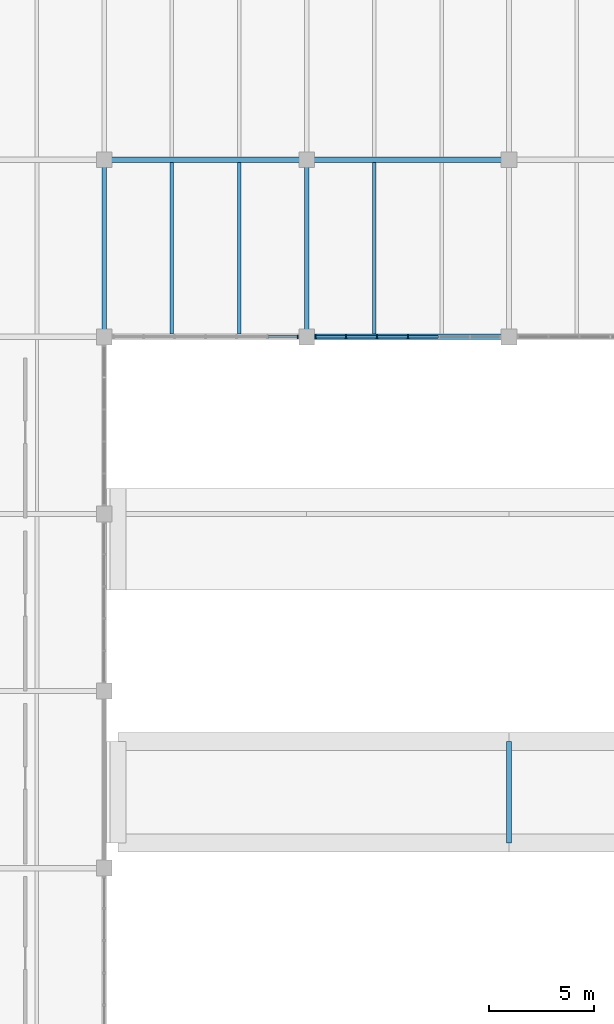
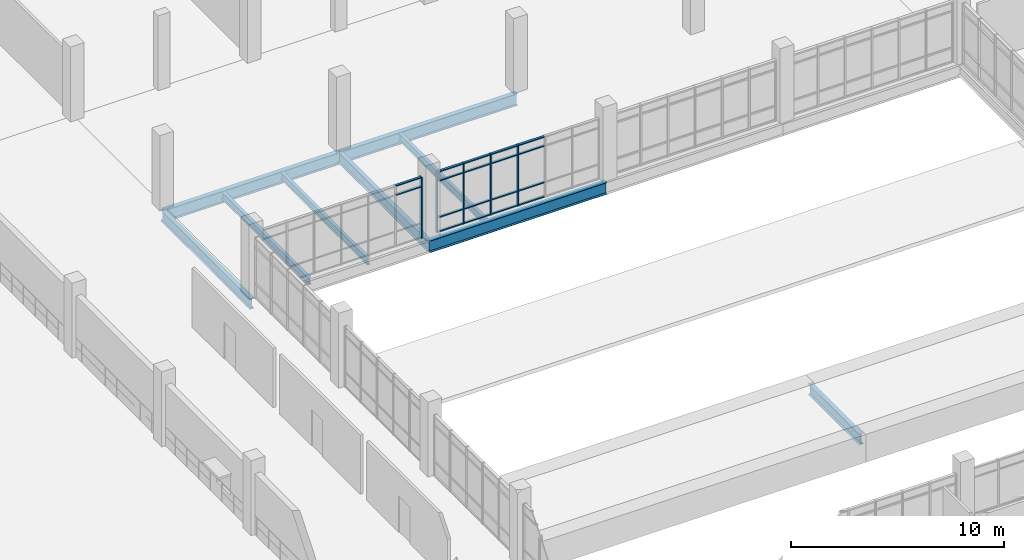
# One storey, part 25 of 86: 23 members, 9 beams, 2 elements without a shape of their own.
"""IFC4 building model written with IfcOpenShell, lengths in metres."""

from ifc_helpers import new_model, si_unit, direction, frame, origin, origin_2d, place, context, subcontext, project, spatial, rectangle, i_section, extrude, material, material_profile, profile_set, type_object, element, aggregate, save


model = new_model("IFC4")

# Units and contexts
model_context = context("Model", 3, precision=1e-05, world=origin(), true_north=direction((0.0, 1.0)))
body_context = subcontext(model_context, "Body", "Model", "MODEL_VIEW")
ifc_project = project(units=[si_unit("LENGTHUNIT", "METRE"), si_unit("AREAUNIT", "SQUARE_METRE"), si_unit("VOLUMEUNIT", "CUBIC_METRE"), si_unit("PLANEANGLEUNIT", "RADIAN"), si_unit("MASSUNIT", "GRAM", prefix="KILO")], contexts=[model_context])

# Site, building, storey
site_placement = place(None, origin())
site = spatial("IfcSite", under=ifc_project, at=site_placement, CompositionType="ELEMENT")
building_placement = place(site_placement, origin())
building = spatial("IfcBuilding", under=site, at=building_placement, Name="Oolite Switchyard Hospital", CompositionType="ELEMENT")
storey_placement = place(building_placement, frame((0.0, 0.0, 13.5)))
storey = spatial("IfcBuildingStorey", under=building, at=storey_placement, Name="L03", CompositionType="ELEMENT", Elevation=13.5)

# Beams
ifc_material_1 = material(Name="Steel ASTM A992 Grade 50", Category="steel")
ifc_material_profile_1 = material_profile(ifc_material_1, i_section(OverallWidth=0.177978515625, OverallDepth=0.403076171875, WebThickness=0.008056640625, FlangeThickness=0.010986328125, at=origin_2d()), Name="W16X36")
ifc_profile_set_1 = profile_set([ifc_material_profile_1], Name="Steel ASTM A992 Grade 50")
beam_type_1 = type_object("IfcBeamType", Name="BM-W16X36", PredefinedType="JOIST", material=ifc_profile_set_1)
for number, where, z_axis, x_axis, name in (
    (1, (150.39990234375, 58.927001953125, -0.47607421875), (0.0, 1.0, 0.0), (-1.0, 0.0, 0.0), "L03 Secondary Steel Joist 2621"),
    (2, (156.800048828125, 58.927001953125, -0.47607421875), (0.0, 1.0, 0.0), (-1.0, 0.0, 0.0), "L03 Secondary Steel Joist 2642"),
):
    element("IfcBeam", number, at=place(storey_placement, frame(where, z_axis=z_axis, x_axis=x_axis)), inside=storey, type_object=beam_type_1, Name=name, PredefinedType="JOIST", context=body_context, shape_type="SweptSolid", body=[
        extrude(i_section(OverallWidth=0.177978515625, OverallDepth=0.403076171875, WebThickness=0.008056640625, FlangeThickness=0.010986328125, at=origin_2d()), origin(), (0.0, 0.0, 1.0), 8.14599609375),
    ])
ifc_material_profile_2 = material_profile(ifc_material_1, i_section(OverallWidth=0.179931640625, OverallDepth=0.4130859375, WebThickness=0.010009765625, FlangeThickness=0.01611328125, at=origin_2d()), Name="W16X50")
ifc_profile_set_2 = profile_set([ifc_material_profile_2], Name="Steel ASTM A992 Grade 50")
beam_type_2 = type_object("IfcBeamType", Name="BM-W16X50", PredefinedType="JOIST", material=ifc_profile_set_2)
beam_1_placement = place(storey_placement, frame((147.199951171875, 58.927001953125, -0.48193359375), z_axis=(0.0, 1.0, 0.0), x_axis=(-1.0, 0.0, 0.0)))
element("IfcBeam", 3, at=beam_1_placement, inside=storey, type_object=beam_type_2, Name="L03 Secondary Steel Joist 2620", PredefinedType="JOIST", context=body_context, shape_type="SweptSolid", body=[
    extrude(i_section(OverallWidth=0.179931640625, OverallDepth=0.4130859375, WebThickness=0.010009765625, FlangeThickness=0.01611328125, at=origin_2d()), origin(), (0.0, 0.0, 1.0), 8.14599609375),
])
ifc_material_profile_3 = material_profile(ifc_material_1, i_section(OverallWidth=0.22900390625, OverallDepth=0.612060546875, WebThickness=0.011962890625, FlangeThickness=0.02001953125, at=origin_2d()), Name="W24X84")
ifc_profile_set_3 = profile_set([ifc_material_profile_3], Name="Steel ASTM A992 Grade 50")
beam_type_3 = type_object("IfcBeamType", Name="BM-W24X84", PredefinedType="BEAM", material=ifc_profile_set_3)
for number, where, z_axis, x_axis, name in (
    (4, (144.0, 58.800048828125, -0.5810546875), (0.0, 1.0, 0.0), (-1.0, 0.0, 0.0), "L03 Y-Girder 2301"),
    (5, (153.60009765625, 58.800048828125, -0.5810546875), (0.0, 1.0, 0.0), (-1.0, 0.0, 0.0), "L03 Y-Girder 2314"),
):
    element("IfcBeam", number, at=place(storey_placement, frame(where, z_axis=z_axis, x_axis=x_axis)), inside=storey, type_object=beam_type_3, Name=name, PredefinedType="BEAM", context=body_context, shape_type="SweptSolid", body=[
        extrude(i_section(OverallWidth=0.22900390625, OverallDepth=0.612060546875, WebThickness=0.011962890625, FlangeThickness=0.02001953125, at=origin_2d()), origin(), (0.0, 0.0, 1.0), 8.39990234375),
    ])
beam_2_placement = place(storey_placement, frame((163.199951171875, 34.800048828125, -0.52587890625), z_axis=(0.0, 1.0, 0.0), x_axis=(-1.0, 0.0, 0.0)))
element("IfcBeam", 6, at=beam_2_placement, inside=storey, type_object=beam_type_3, Name="L03 Y-Girder 2325", PredefinedType="BEAM", context=body_context, shape_type="SweptSolid", body=[
    extrude(i_section(OverallWidth=0.22900390625, OverallDepth=0.612060546875, WebThickness=0.011962890625, FlangeThickness=0.02001953125, at=origin_2d()), origin(), (0.0, 0.0, 1.0), 4.800048828125),
])
ifc_material_profile_4 = material_profile(ifc_material_1, i_section(OverallWidth=0.25390625, OverallDepth=0.68408203125, WebThickness=0.011962890625, FlangeThickness=0.01904296875, at=origin_2d()), Name="W27X94")
ifc_profile_set_4 = profile_set([ifc_material_profile_4], Name="Steel ASTM A992 Grade 50")
beam_type_4 = type_object("IfcBeamType", Name="BM-W27X94", PredefinedType="BEAM", material=ifc_profile_set_4)
beam_3_placement = place(storey_placement, frame((153.60009765625, 58.800048828125, -0.616943359375), z_axis=(1.0, 0.0, 0.0), x_axis=(0.0, 1.0, 0.0)))
element("IfcBeam", 7, at=beam_3_placement, inside=storey, type_object=beam_type_4, Name="L03 X-Girder 2001", PredefinedType="BEAM", context=body_context, shape_type="SweptSolid", body=[
    extrude(i_section(OverallWidth=0.25390625, OverallDepth=0.68408203125, WebThickness=0.011962890625, FlangeThickness=0.01904296875, at=origin_2d()), origin(), (0.0, 0.0, 1.0), 9.599853515625),
])
beam_4_placement = place(storey_placement, frame((144.0, 67.199951171875, -0.616943359375), z_axis=(1.0, 0.0, 0.0), x_axis=(0.0, 1.0, 0.0)))
element("IfcBeam", 8, at=beam_4_placement, inside=storey, type_object=beam_type_4, Name="L03 X-Girder 2016", PredefinedType="BEAM", context=body_context, shape_type="SweptSolid", body=[
    extrude(i_section(OverallWidth=0.25390625, OverallDepth=0.68408203125, WebThickness=0.011962890625, FlangeThickness=0.01904296875, at=origin_2d()), origin(), (0.0, 0.0, 1.0), 9.60009765625),
])
beam_5_placement = place(storey_placement, frame((153.60009765625, 67.199951171875, -0.616943359375), z_axis=(1.0, 0.0, 0.0), x_axis=(0.0, 1.0, 0.0)))
element("IfcBeam", 9, at=beam_5_placement, inside=storey, type_object=beam_type_4, Name="L03 X-Girder 2017", PredefinedType="BEAM", context=body_context, shape_type="SweptSolid", body=[
    extrude(i_section(OverallWidth=0.25390625, OverallDepth=0.68408203125, WebThickness=0.011962890625, FlangeThickness=0.01904296875, at=origin_2d()), origin(), (0.0, 0.0, 1.0), 9.599853515625),
])

# Curtain wall, members
ifc_material_2 = material(Name="Thermally broken aluminum frame with laminated impact glazing", Category="aluminium")
curtain_wall_type = type_object("IfcCurtainWallType", Name="CW-UNIT-96X43", PredefinedType="USERDEFINED", material=ifc_material_2)
curtain_wall_1_placement = place(storey_placement, origin())
curtain_wall_1 = element("IfcCurtainWall", 10, at=curtain_wall_1_placement, inside=storey, type_object=curtain_wall_type, Name="L03 Unitised Curtain Wall 336", ObjectType="UNITISED", PredefinedType="USERDEFINED")
ifc_material_3 = material(Name="Aluminium 6063-T6", Category="aluminium")
ifc_material_profile_5 = material_profile(ifc_material_3, rectangle(XDim=0.159912109375, YDim=0.06005859375, at=origin_2d()), Name="CWM60X160")
ifc_profile_set_5 = profile_set([ifc_material_profile_5], Name="Aluminium 6063-T6")
member_type_1 = type_object("IfcMemberType", Name="CW-MUL-180", PredefinedType="MULLION", material=ifc_profile_set_5)
member_1_placement = place(storey_placement, frame((158.39990234375, 58.800048828125, 0.0), z_axis=(0.0, 0.0, 1.0), x_axis=(0.0, -1.0, 0.0)))
member_1 = element("IfcMember", 11, at=member_1_placement, type_object=member_type_1, Name="CW-04 mullion 4", PredefinedType="MULLION", context=body_context, shape_type="SweptSolid", body=[
    extrude(rectangle(XDim=0.159912109375, YDim=0.06005859375, at=origin_2d()), origin(), (0.0, 0.0, 1.0), 3.489990234375),
])
member_2_placement = place(storey_placement, frame((156.929931640625, 58.800048828125, 0.0), z_axis=(0.0, 0.0, 1.0), x_axis=(0.0, -1.0, 0.0)))
member_2 = element("IfcMember", 12, at=member_2_placement, type_object=member_type_1, Name="CW-04 mullion 5", PredefinedType="MULLION", context=body_context, shape_type="SweptSolid", body=[
    extrude(rectangle(XDim=0.159912109375, YDim=0.06005859375, at=origin_2d()), origin(), (0.0, 0.0, 1.0), 3.489990234375),
])
member_3_placement = place(storey_placement, frame((155.4599609375, 58.800048828125, 0.0), z_axis=(0.0, 0.0, 1.0), x_axis=(0.0, -1.0, 0.0)))
member_3 = element("IfcMember", 13, at=member_3_placement, type_object=member_type_1, Name="CW-04 mullion 6", PredefinedType="MULLION", context=body_context, shape_type="SweptSolid", body=[
    extrude(rectangle(XDim=0.159912109375, YDim=0.06005859375, at=origin_2d()), origin(), (0.0, 0.0, 1.0), 3.489990234375),
])
member_4_placement = place(storey_placement, frame((154.02001953125, 58.800048828125, 0.0), z_axis=(0.0, 0.0, 1.0), x_axis=(0.0, -1.0, 0.0)))
member_4 = element("IfcMember", 14, at=member_4_placement, type_object=member_type_1, Name="CW-04 mullion 7", PredefinedType="MULLION", context=body_context, shape_type="SweptSolid", body=[
    extrude(rectangle(XDim=0.159912109375, YDim=0.06005859375, at=origin_2d()), origin(), (0.0, 0.0, 1.0), 3.489990234375),
])

curtain_wall_2_placement = place(storey_placement, origin())
curtain_wall_2 = element("IfcCurtainWall", 15, at=curtain_wall_2_placement, inside=storey, type_object=curtain_wall_type, Name="L03 Unitised Curtain Wall 334", ObjectType="UNITISED", PredefinedType="USERDEFINED")
ifc_material_profile_6 = material_profile(ifc_material_3, rectangle(XDim=0.179931640625, YDim=0.070068359375, at=origin_2d()), Name="CWM70X180")
ifc_profile_set_6 = profile_set([ifc_material_profile_6], Name="Aluminium 6063-T6")
member_type_2 = type_object("IfcMemberType", Name="CW-MUL-220", PredefinedType="MULLION", material=ifc_profile_set_6)
member_5_placement = place(storey_placement, frame((153.175048828125, 58.800048828125, 0.0), z_axis=(0.0, 0.0, 1.0), x_axis=(0.0, -1.0, 0.0)))
member_5 = element("IfcMember", 16, at=member_5_placement, type_object=member_type_2, Name="CW-04 mullion 1", PredefinedType="MULLION", context=body_context, shape_type="SweptSolid", body=[
    extrude(rectangle(XDim=0.179931640625, YDim=0.070068359375, at=origin_2d()), origin(), (0.0, 0.0, 1.0), 3.489990234375),
])
ifc_material_profile_7 = material_profile(ifc_material_3, rectangle(XDim=0.1201171875, YDim=0.06005859375, at=origin_2d()), Name="CWT60X120")
ifc_profile_set_7 = profile_set([ifc_material_profile_7], Name="Aluminium 6063-T6")
member_type_3 = type_object("IfcMemberType", Name="CW-TRN-150", PredefinedType="USERDEFINED", material=ifc_profile_set_7)
member_6_placement = place(storey_placement, frame((153.139892578125, 58.800048828125, 2.93994140625), z_axis=(-1.0, 0.0, 0.0), x_axis=(0.0, -1.0, 0.0)))
member_6 = element("IfcMember", 17, at=member_6_placement, type_object=member_type_3, Name="CW-04 transom 1.3", ObjectType="TRANSOM", PredefinedType="USERDEFINED", context=body_context, shape_type="SweptSolid", body=[
    extrude(rectangle(XDim=0.1201171875, YDim=0.06005859375, at=origin_2d()), origin(), (0.0, 0.0, 1.0), 1.364990234375),
])
member_7_placement = place(storey_placement, frame((153.139892578125, 58.800048828125, 3.4599609375), z_axis=(-1.0, 0.0, 0.0), x_axis=(0.0, -1.0, 0.0)))
member_7 = element("IfcMember", 18, at=member_7_placement, type_object=member_type_3, Name="CW-04 transom 1.4", ObjectType="TRANSOM", PredefinedType="USERDEFINED", context=body_context, shape_type="SweptSolid", body=[
    extrude(rectangle(XDim=0.1201171875, YDim=0.06005859375, at=origin_2d()), origin(), (0.0, 0.0, 1.0), 1.364990234375),
])
aggregate(curtain_wall_2, [member_5, member_6, member_7])

# Member
member_8_placement = place(storey_placement, frame((159.840087890625, 58.800048828125, 0.030029296875), z_axis=(-1.0, 0.0, 0.0), x_axis=(0.0, -1.0, 0.0)))
member_8 = element("IfcMember", 19, at=member_8_placement, type_object=member_type_3, Name="CW-04 transom 3.1", ObjectType="TRANSOM", PredefinedType="USERDEFINED", context=body_context, shape_type="SweptSolid", body=[
    extrude(rectangle(XDim=0.1201171875, YDim=0.06005859375, at=origin_2d()), origin(), (0.0, 0.0, 1.0), 1.41015625),
])

member_9_placement = place(storey_placement, frame((159.840087890625, 58.800048828125, 0.85009765625), z_axis=(-1.0, 0.0, 0.0), x_axis=(0.0, -1.0, 0.0)))
member_9 = element("IfcMember", 20, at=member_9_placement, type_object=member_type_3, Name="CW-04 transom 3.2", ObjectType="TRANSOM", PredefinedType="USERDEFINED", context=body_context, shape_type="SweptSolid", body=[
    extrude(rectangle(XDim=0.1201171875, YDim=0.06005859375, at=origin_2d()), origin(), (0.0, 0.0, 1.0), 1.41015625),
])

member_10_placement = place(storey_placement, frame((159.840087890625, 58.800048828125, 2.93994140625), z_axis=(-1.0, 0.0, 0.0), x_axis=(0.0, -1.0, 0.0)))
member_10 = element("IfcMember", 21, at=member_10_placement, type_object=member_type_3, Name="CW-04 transom 3.3", ObjectType="TRANSOM", PredefinedType="USERDEFINED", context=body_context, shape_type="SweptSolid", body=[
    extrude(rectangle(XDim=0.1201171875, YDim=0.06005859375, at=origin_2d()), origin(), (0.0, 0.0, 1.0), 1.41015625),
])

member_11_placement = place(storey_placement, frame((159.840087890625, 58.800048828125, 3.4599609375), z_axis=(-1.0, 0.0, 0.0), x_axis=(0.0, -1.0, 0.0)))
member_11 = element("IfcMember", 22, at=member_11_placement, type_object=member_type_3, Name="CW-04 transom 3.4", ObjectType="TRANSOM", PredefinedType="USERDEFINED", context=body_context, shape_type="SweptSolid", body=[
    extrude(rectangle(XDim=0.1201171875, YDim=0.06005859375, at=origin_2d()), origin(), (0.0, 0.0, 1.0), 1.41015625),
])

member_12_placement = place(storey_placement, frame((158.3701171875, 58.800048828125, 0.030029296875), z_axis=(-1.0, 0.0, 0.0), x_axis=(0.0, -1.0, 0.0)))
member_12 = element("IfcMember", 23, at=member_12_placement, type_object=member_type_3, Name="CW-04 transom 4.1", ObjectType="TRANSOM", PredefinedType="USERDEFINED", context=body_context, shape_type="SweptSolid", body=[
    extrude(rectangle(XDim=0.1201171875, YDim=0.06005859375, at=origin_2d()), origin(), (0.0, 0.0, 1.0), 1.41015625),
])

member_13_placement = place(storey_placement, frame((158.3701171875, 58.800048828125, 0.85009765625), z_axis=(-1.0, 0.0, 0.0), x_axis=(0.0, -1.0, 0.0)))
member_13 = element("IfcMember", 24, at=member_13_placement, type_object=member_type_3, Name="CW-04 transom 4.2", ObjectType="TRANSOM", PredefinedType="USERDEFINED", context=body_context, shape_type="SweptSolid", body=[
    extrude(rectangle(XDim=0.1201171875, YDim=0.06005859375, at=origin_2d()), origin(), (0.0, 0.0, 1.0), 1.41015625),
])

member_14_placement = place(storey_placement, frame((158.3701171875, 58.800048828125, 2.93994140625), z_axis=(-1.0, 0.0, 0.0), x_axis=(0.0, -1.0, 0.0)))
member_14 = element("IfcMember", 25, at=member_14_placement, type_object=member_type_3, Name="CW-04 transom 4.3", ObjectType="TRANSOM", PredefinedType="USERDEFINED", context=body_context, shape_type="SweptSolid", body=[
    extrude(rectangle(XDim=0.1201171875, YDim=0.06005859375, at=origin_2d()), origin(), (0.0, 0.0, 1.0), 1.41015625),
])

member_15_placement = place(storey_placement, frame((158.3701171875, 58.800048828125, 3.4599609375), z_axis=(-1.0, 0.0, 0.0), x_axis=(0.0, -1.0, 0.0)))
member_15 = element("IfcMember", 26, at=member_15_placement, type_object=member_type_3, Name="CW-04 transom 4.4", ObjectType="TRANSOM", PredefinedType="USERDEFINED", context=body_context, shape_type="SweptSolid", body=[
    extrude(rectangle(XDim=0.1201171875, YDim=0.06005859375, at=origin_2d()), origin(), (0.0, 0.0, 1.0), 1.41015625),
])

member_16_placement = place(storey_placement, frame((156.89990234375, 58.800048828125, 0.030029296875), z_axis=(-1.0, 0.0, 0.0), x_axis=(0.0, -1.0, 0.0)))
member_16 = element("IfcMember", 27, at=member_16_placement, type_object=member_type_3, Name="CW-04 transom 5.1", ObjectType="TRANSOM", PredefinedType="USERDEFINED", context=body_context, shape_type="SweptSolid", body=[
    extrude(rectangle(XDim=0.1201171875, YDim=0.06005859375, at=origin_2d()), origin(), (0.0, 0.0, 1.0), 1.409912109375),
])

member_17_placement = place(storey_placement, frame((156.89990234375, 58.800048828125, 0.85009765625), z_axis=(-1.0, 0.0, 0.0), x_axis=(0.0, -1.0, 0.0)))
member_17 = element("IfcMember", 28, at=member_17_placement, type_object=member_type_3, Name="CW-04 transom 5.2", ObjectType="TRANSOM", PredefinedType="USERDEFINED", context=body_context, shape_type="SweptSolid", body=[
    extrude(rectangle(XDim=0.1201171875, YDim=0.06005859375, at=origin_2d()), origin(), (0.0, 0.0, 1.0), 1.409912109375),
])

member_18_placement = place(storey_placement, frame((156.89990234375, 58.800048828125, 2.93994140625), z_axis=(-1.0, 0.0, 0.0), x_axis=(0.0, -1.0, 0.0)))
member_18 = element("IfcMember", 29, at=member_18_placement, type_object=member_type_3, Name="CW-04 transom 5.3", ObjectType="TRANSOM", PredefinedType="USERDEFINED", context=body_context, shape_type="SweptSolid", body=[
    extrude(rectangle(XDim=0.1201171875, YDim=0.06005859375, at=origin_2d()), origin(), (0.0, 0.0, 1.0), 1.409912109375),
])

member_19_placement = place(storey_placement, frame((156.89990234375, 58.800048828125, 3.4599609375), z_axis=(-1.0, 0.0, 0.0), x_axis=(0.0, -1.0, 0.0)))
member_19 = element("IfcMember", 30, at=member_19_placement, type_object=member_type_3, Name="CW-04 transom 5.4", ObjectType="TRANSOM", PredefinedType="USERDEFINED", context=body_context, shape_type="SweptSolid", body=[
    extrude(rectangle(XDim=0.1201171875, YDim=0.06005859375, at=origin_2d()), origin(), (0.0, 0.0, 1.0), 1.409912109375),
])

member_20_placement = place(storey_placement, frame((155.429931640625, 58.800048828125, 0.030029296875), z_axis=(-1.0, 0.0, 0.0), x_axis=(0.0, -1.0, 0.0)))
member_20 = element("IfcMember", 31, at=member_20_placement, type_object=member_type_3, Name="CW-04 transom 6.1", ObjectType="TRANSOM", PredefinedType="USERDEFINED", context=body_context, shape_type="SweptSolid", body=[
    extrude(rectangle(XDim=0.1201171875, YDim=0.06005859375, at=origin_2d()), origin(), (0.0, 0.0, 1.0), 1.3798828125),
])

member_21_placement = place(storey_placement, frame((155.429931640625, 58.800048828125, 0.85009765625), z_axis=(-1.0, 0.0, 0.0), x_axis=(0.0, -1.0, 0.0)))
member_21 = element("IfcMember", 32, at=member_21_placement, type_object=member_type_3, Name="CW-04 transom 6.2", ObjectType="TRANSOM", PredefinedType="USERDEFINED", context=body_context, shape_type="SweptSolid", body=[
    extrude(rectangle(XDim=0.1201171875, YDim=0.06005859375, at=origin_2d()), origin(), (0.0, 0.0, 1.0), 1.3798828125),
])

member_22_placement = place(storey_placement, frame((155.429931640625, 58.800048828125, 2.93994140625), z_axis=(-1.0, 0.0, 0.0), x_axis=(0.0, -1.0, 0.0)))
member_22 = element("IfcMember", 33, at=member_22_placement, type_object=member_type_3, Name="CW-04 transom 6.3", ObjectType="TRANSOM", PredefinedType="USERDEFINED", context=body_context, shape_type="SweptSolid", body=[
    extrude(rectangle(XDim=0.1201171875, YDim=0.06005859375, at=origin_2d()), origin(), (0.0, 0.0, 1.0), 1.3798828125),
])

member_23_placement = place(storey_placement, frame((155.429931640625, 58.800048828125, 3.4599609375), z_axis=(-1.0, 0.0, 0.0), x_axis=(0.0, -1.0, 0.0)))
member_23 = element("IfcMember", 34, at=member_23_placement, type_object=member_type_3, Name="CW-04 transom 6.4", ObjectType="TRANSOM", PredefinedType="USERDEFINED", context=body_context, shape_type="SweptSolid", body=[
    extrude(rectangle(XDim=0.1201171875, YDim=0.06005859375, at=origin_2d()), origin(), (0.0, 0.0, 1.0), 1.3798828125),
])

aggregate(curtain_wall_1, [member_1, member_2, member_3, member_4, member_8, member_9, member_10, member_11, member_12, member_13, member_14, member_15, member_16, member_17, member_18, member_19, member_20, member_21, member_22, member_23])

save(model, "model.ifc")
